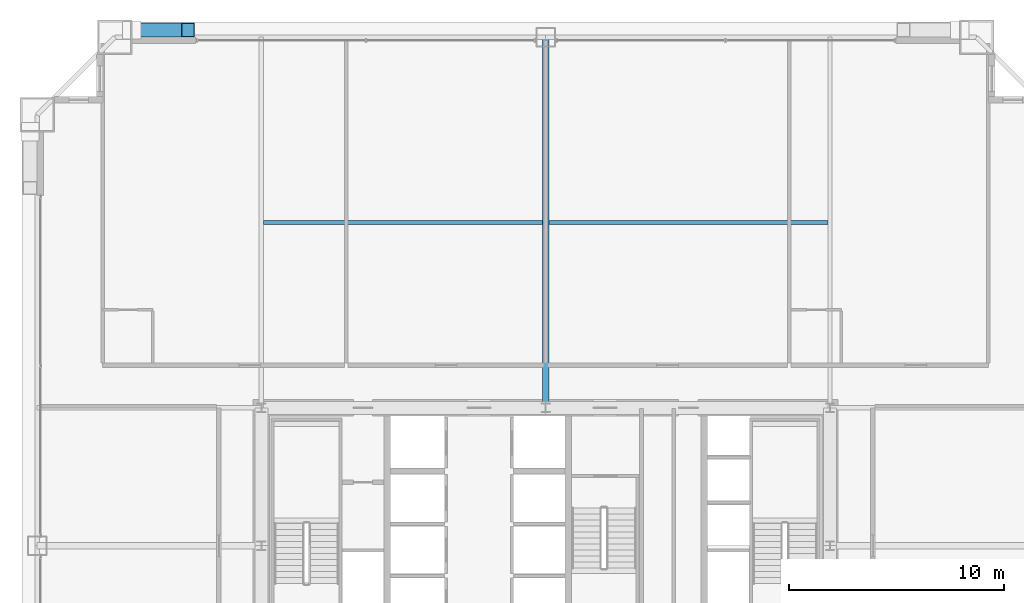
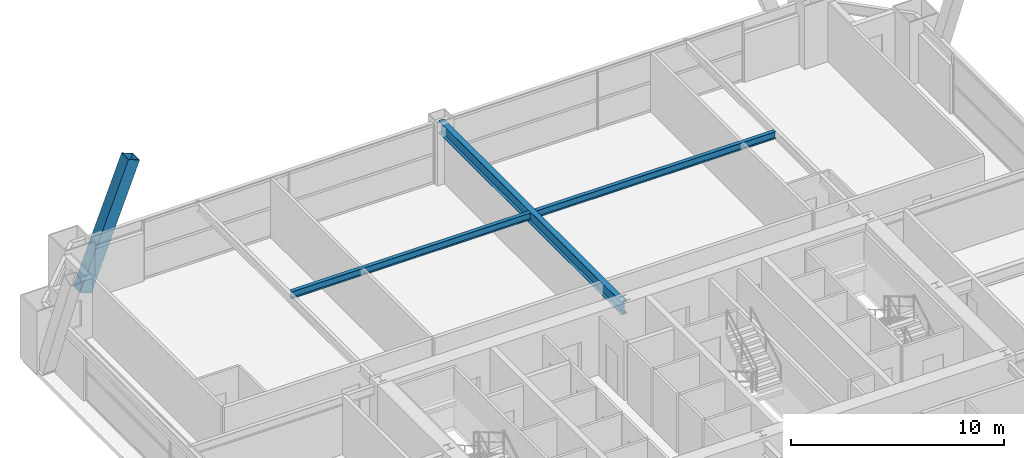
# One storey, part 26 of 43: 3 beams, 1 member.
"""IFC4 building model written with IfcOpenShell, lengths in metres."""

from ifc_helpers import new_model, si_unit, direction, frame, origin, origin_2d, place, context, subcontext, project, spatial, hollow_rectangle, i_section, extrude, source, transform, mapped, material, material_profile, profile_set, type_object, element, save


model = new_model("IFC4")

# Units and contexts
model_context = context("Model", 3, precision=1e-05, world=origin(), true_north=direction((0.0, 1.0)))
body_context = subcontext(model_context, "Body", "Model", "MODEL_VIEW")
ifc_project = project(units=[si_unit("LENGTHUNIT", "METRE"), si_unit("AREAUNIT", "SQUARE_METRE"), si_unit("VOLUMEUNIT", "CUBIC_METRE"), si_unit("PLANEANGLEUNIT", "RADIAN"), si_unit("MASSUNIT", "GRAM", prefix="KILO"), si_unit("THERMODYNAMICTEMPERATUREUNIT", "KELVIN"), si_unit("POWERUNIT", "WATT")], contexts=[model_context])

# Site, building, storey
site_placement = place(None, origin())
site = spatial("IfcSite", under=ifc_project, at=site_placement, CompositionType="ELEMENT")
building_placement = place(site_placement, origin())
building = spatial("IfcBuilding", under=site, at=building_placement, Name="Yuzanri Waterfront Tower", CompositionType="ELEMENT")
storey_placement = place(building_placement, frame((0.0, 0.0, 108.199951171875)))
storey = spatial("IfcBuildingStorey", under=building, at=storey_placement, Name="L28", CompositionType="ELEMENT", Elevation=108.199951171875)

# Beams
ifc_material_1 = material(Name="Steel Q355B", Category="steel")
ifc_material_profile_1 = material_profile(ifc_material_1, i_section(OverallWidth=0.199951171875, OverallDepth=0.39990234375, WebThickness=0.008056640625, FlangeThickness=0.012939453125, at=origin_2d()), Name="HN 400x200x8x13")
ifc_profile_set_1 = profile_set([ifc_material_profile_1], Name="Steel Q355B")
beam_type_1 = type_object("IfcBeamType", Name="Floor Joist Q355B HN 400x200", PredefinedType="JOIST", material=ifc_profile_set_1)
shared_shape_1 = source(origin(), body_context, "Body", "SweptSolid", [
    extrude(i_section(OverallWidth=0.199951171875, OverallDepth=0.39990234375, WebThickness=0.008056640625, FlangeThickness=0.012939453125, at=origin_2d()), origin(), (0.0, 0.0, 1.0), 12.9501953125),
])
for number, where, z_axis, x_axis, name in (
    (1, (23.89990234375, 40.800048828125, 3.179931640625), (1.0, 0.0, 0.0), (0.0, 1.0, 0.0), "L28 North Bay Joist W"),
    (2, (37.14990234375, 40.800048828125, 3.179931640625), (1.0, 0.0, 0.0), (0.0, 1.0, 0.0), "L28 North Bay Joist E"),
):
    element("IfcBeam", number, at=place(storey_placement, frame(where, z_axis=z_axis, x_axis=x_axis)), inside=storey, type_object=beam_type_1, Name=name, PredefinedType="JOIST", context=body_context, shape_type="MappedRepresentation", body=[
        mapped(shared_shape_1, transform((0.0, 0.0, 0.0), scale=1.0)),
    ])
ifc_material_2 = material(Name="Steel Q355B", Category="steel")
ifc_material_profile_2 = material_profile(ifc_material_2, i_section(OverallWidth=0.300048828125, OverallDepth=0.699951171875, WebThickness=0.012939453125, FlangeThickness=0.02392578125, at=origin_2d()), Name="HN 700x300x13x24")
ifc_profile_set_2 = profile_set([ifc_material_profile_2], Name="Steel Q355B")
beam_type_2 = type_object("IfcBeamType", Name="Primary Floor Girder Q355B HN 700x300", PredefinedType="BEAM", material=ifc_profile_set_2)
shared_shape_2 = source(origin(), body_context, "Body", "SweptSolid", [
    extrude(i_section(OverallWidth=0.300048828125, OverallDepth=0.699951171875, WebThickness=0.012939453125, FlangeThickness=0.02392578125, at=origin_2d()), origin(), (0.0, 0.0, 1.0), 17.199951171875),
])
beam_placement = place(storey_placement, frame((37.0, 32.199951171875, 3.030029296875), z_axis=(0.0, 1.0, 0.0), x_axis=(-1.0, 0.0, 0.0)))
element("IfcBeam", 3, at=beam_placement, inside=storey, type_object=beam_type_2, Name="L28 North Grid Girder", PredefinedType="BEAM", context=body_context, shape_type="MappedRepresentation", body=[
    mapped(shared_shape_2, transform((0.0, 0.0, 0.0), scale=1.0)),
])

# Member
ifc_material_3 = material(Name="Steel Q420GJC", Category="steel")
ifc_material_profile_3 = material_profile(ifc_material_3, hollow_rectangle(XDim=0.64990234375, YDim=0.64990234375, WallThickness=0.028076171875, at=origin_2d()), Name="RHS 650x650x28")
ifc_profile_set_3 = profile_set([ifc_material_profile_3], Name="Steel Q420GJC")
member_type = type_object("IfcMemberType", Name="Mega Brace Lower Q420GJC RHS 650x650x28", PredefinedType="BRACE", material=ifc_profile_set_3)
shared_shape_3 = source(origin(), body_context, "Body", "SweptSolid", [
    extrude(hollow_rectangle(XDim=0.64990234375, YDim=0.64990234375, WallThickness=0.028076171875, at=origin_2d()), origin(), (0.0, 0.0, 1.0), 7.194091796875),
])
member_placement = place(storey_placement, frame((17.780029296875, 49.739990234375, 0.179931640625), z_axis=(0.36416517997, 0.0, 0.931334376955), x_axis=(0.0, 1.0, 0.0)))
element("IfcMember", 4, at=member_placement, inside=storey, type_object=member_type, Name="L28-L29 Perimeter Mega-Brace N-L", PredefinedType="BRACE", context=body_context, shape_type="MappedRepresentation", body=[
    mapped(shared_shape_3, transform((0.0, 0.0, 0.0), scale=1.0)),
])

save(model, "model.ifc")
